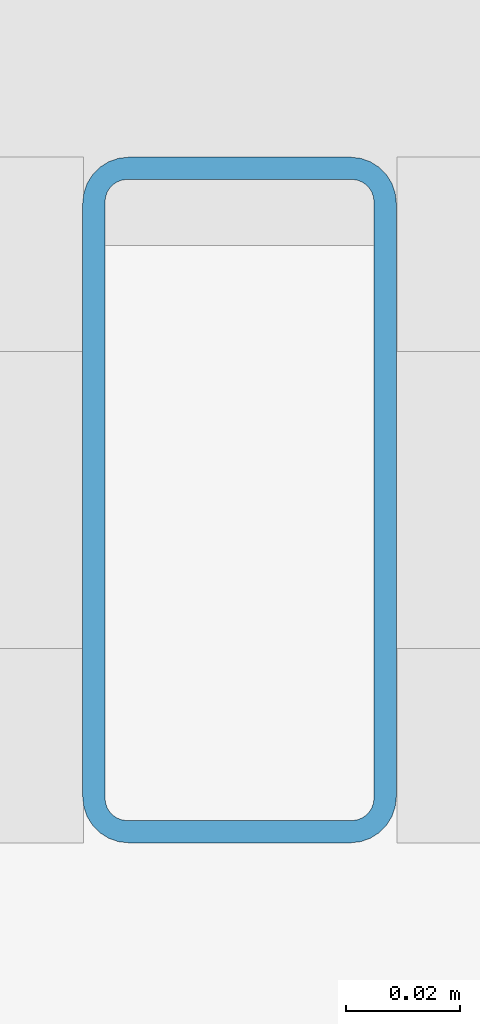
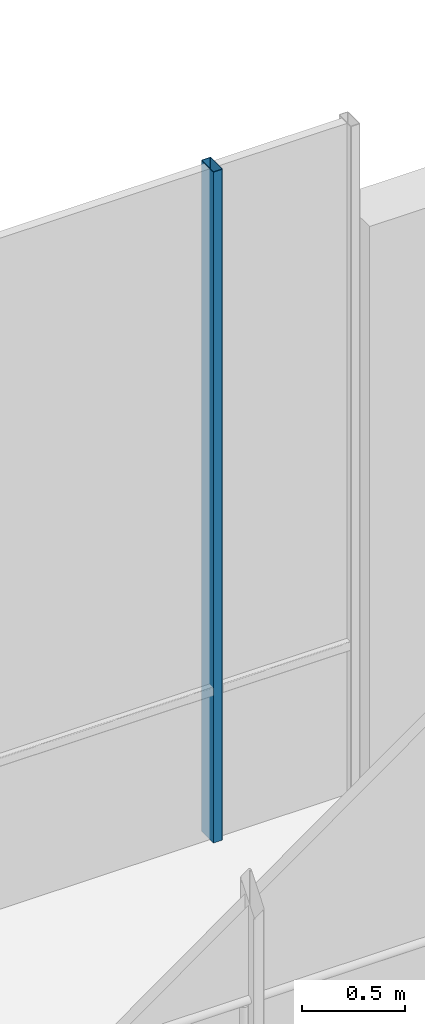
# One storey, part 13 of 33: 1 member, 1 element without a shape of its own.
"""IFC4 building model written with IfcOpenShell, lengths in metres."""

from ifc_helpers import new_model, si_unit, direction, frame, origin, origin_2d, place, context, subcontext, project, spatial, hollow_rectangle, extrude, material, layer, layer_set, material_profile, profile_set, type_object, element, aggregate, save


model = new_model("IFC4")

# Units and contexts
model_context = context("Model", 3, precision=1e-05, world=origin(), true_north=direction((0.0, 1.0)))
body_context = subcontext(model_context, "Body", "Model", "MODEL_VIEW")
ifc_project = project(units=[si_unit("LENGTHUNIT", "METRE"), si_unit("AREAUNIT", "SQUARE_METRE"), si_unit("VOLUMEUNIT", "CUBIC_METRE"), si_unit("PLANEANGLEUNIT", "RADIAN"), si_unit("MASSUNIT", "GRAM", prefix="KILO")], contexts=[model_context])

# Site, building, storey
site_placement = place(None, origin())
site = spatial("IfcSite", under=ifc_project, at=site_placement, CompositionType="ELEMENT")
building_placement = place(site_placement, origin())
building = spatial("IfcBuilding", under=site, at=building_placement, Name="Brevholm Reach", CompositionType="ELEMENT")
storey_placement = place(building_placement, frame((0.0, 0.0, 179.0)))
storey = spatial("IfcBuildingStorey", under=building, at=storey_placement, Name="L54", CompositionType="ELEMENT", Elevation=179.0)

# Curtain wall, member
ifc_material_1 = material(Name="Dark Anodised Aluminium 6063-T6 and Solar-Control Glass", Category="aluminium")
ifc_layer = layer(ifc_material_1, 0.1201171875)
ifc_layer_set = layer_set([ifc_layer], Name="Dark Anodised Aluminium 6063-T6 and Solar-Control Glass")
curtain_wall_type = type_object("IfcCurtainWallType", Name="CW-06", PredefinedType="NOTDEFINED", material=ifc_layer_set)
curtain_wall_placement = place(storey_placement, origin())
curtain_wall = element("IfcCurtainWall", 1, at=curtain_wall_placement, inside=storey, type_object=curtain_wall_type, Name="L54 Curtain Wall CW-06", PredefinedType="NOTDEFINED")
ifc_material_2 = material(Name="Dark Anodised Aluminium 6063-T6", Category="aluminium")
ifc_material_profile = material_profile(ifc_material_2, hollow_rectangle(XDim=0.054931640625, YDim=0.1201171875, WallThickness=0.00390625, InnerFilletRadius=0.00390625, OuterFilletRadius=0.008056640625, at=origin_2d()), Name="RHS 120x55x4")
ifc_profile_set = profile_set([ifc_material_profile], Name="Dark Anodised Aluminium 6063-T6")
member_type = type_object("IfcMemberType", Name="CWM-120", PredefinedType="MULLION", material=ifc_profile_set)
member_placement = place(storey_placement, frame((31.39990234375, 26.35009765625, 0.0), z_axis=(0.0, 0.0, 1.0), x_axis=(1.0, 0.0, 0.0)))
member = element("IfcMember", 2, at=member_placement, type_object=member_type, Name="CM-120 Mullion 2", PredefinedType="MULLION", context=body_context, shape_type="SweptSolid", body=[
    extrude(hollow_rectangle(XDim=0.054931640625, YDim=0.1201171875, WallThickness=0.00390625, InnerFilletRadius=0.00390625, OuterFilletRadius=0.008056640625, at=origin_2d()), origin(), (0.0, 0.0, 1.0), 3.989990234375),
])
aggregate(curtain_wall, [member])

save(model, "model.ifc")
